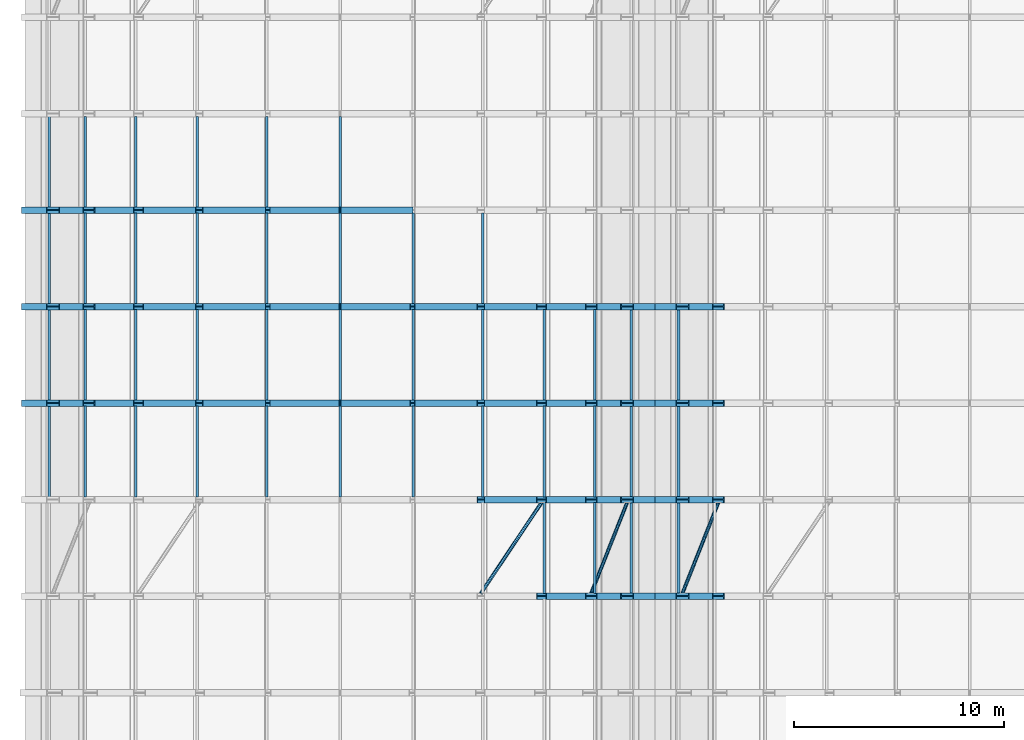
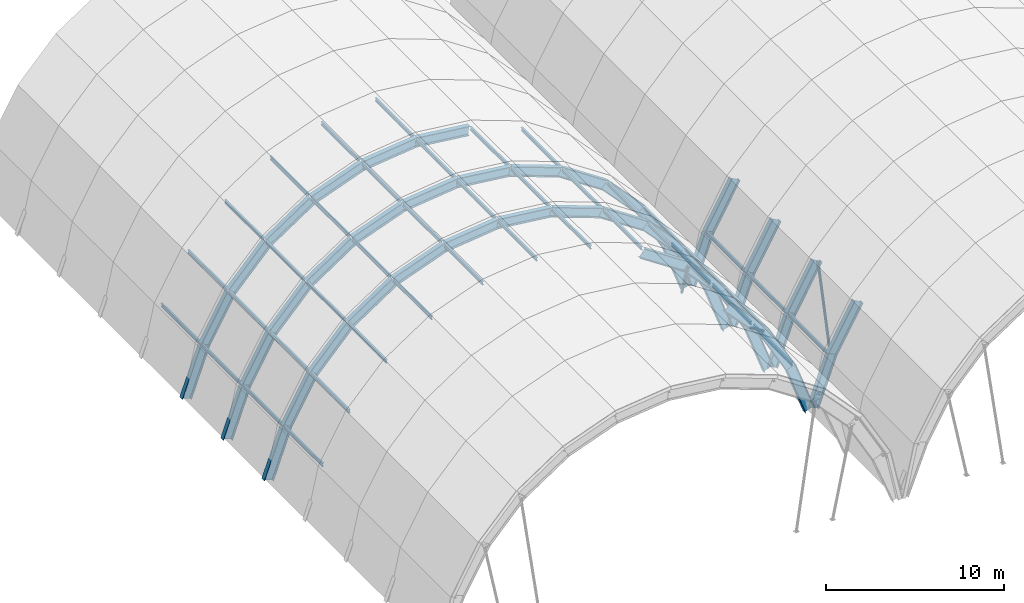
# One storey, part 8 of 47: 88 beams, 3 members.
"""IFC4 building model written with IfcOpenShell, lengths in metres."""

from ifc_helpers import new_model, si_unit, direction, frame, origin, origin_2d, place, context, subcontext, project, spatial, hollow_circle, i_section, extrude, material, material_profile, profile_set, type_object, element, save


model = new_model("IFC4")

# Units and contexts
model_context = context("Model", 3, precision=1e-05, world=origin(), true_north=direction((0.0, 1.0)))
body_context = subcontext(model_context, "Body", "Model", "MODEL_VIEW")
ifc_project = project(units=[si_unit("LENGTHUNIT", "METRE"), si_unit("AREAUNIT", "SQUARE_METRE"), si_unit("VOLUMEUNIT", "CUBIC_METRE"), si_unit("PLANEANGLEUNIT", "RADIAN"), si_unit("MASSUNIT", "GRAM", prefix="KILO")], contexts=[model_context])

# Site, building, storey
site_placement = place(None, origin())
site = spatial("IfcSite", under=ifc_project, at=site_placement, CompositionType="ELEMENT")
building_placement = place(site_placement, origin())
building = spatial("IfcBuilding", under=site, at=building_placement, Name="Muzn Square Opera House", CompositionType="ELEMENT")
storey_placement = place(building_placement, frame((0.0, 0.0, 31.0)))
storey = spatial("IfcBuildingStorey", under=building, at=storey_placement, Name="RF-1", CompositionType="ELEMENT", Elevation=31.0)

# Beams
ifc_material = material(Name="Steel S355", Category="steel")
ifc_material_profile_1 = material_profile(ifc_material, i_section(OverallWidth=0.1201171875, OverallDepth=0.239990234375, WebThickness=0.006103515625, FlangeThickness=0.009765625, FilletRadius=0.014892578125, at=origin_2d()), Name="IPE 240", Category="steel")
ifc_profile_set_1 = profile_set([ifc_material_profile_1], Name="Steel S355")
beam_type_1 = type_object("IfcBeamType", Name="Roof Purlin IPE240", PredefinedType="USERDEFINED", material=ifc_profile_set_1)
for number, where, z_axis, x_axis, name in (
    (1, (67.7373046875, 31.340087890625, -3.537109375), (0.0, 1.0, 0.0), (-1.0, 0.0, 0.0), "Barrel Vault Roof Purlin V1-02-P18"),
    (2, (70.13623046875, 31.340087890625, -6.1162109375), (0.0, 1.0, 0.0), (-1.0, 0.0, 0.0), "Barrel Vault Roof Purlin V1-02-P20"),
    (3, (71.869384765625, 31.340087890625, -9.1826171875), (0.0, 1.0, 0.0), (-1.0, 0.0, 0.0), "Barrel Vault Roof Purlin V1-02-P22"),
):
    element("IfcBeam", number, at=place(storey_placement, frame(where, z_axis=z_axis, x_axis=x_axis)), inside=storey, type_object=beam_type_1, Name=name, ObjectType="PURLIN", PredefinedType="USERDEFINED", context=body_context, shape_type="SweptSolid", body=[
        extrude(i_section(OverallWidth=0.1201171875, OverallDepth=0.239990234375, WebThickness=0.006103515625, FlangeThickness=0.009765625, FilletRadius=0.014892578125, at=origin_2d()), origin(), (0.0, 0.0, 1.0), 4.31982421875),
    ])
for number, where, z_axis, x_axis, name in (
    (4, (44.130615234375, 35.93994140625, -9.1826171875), (0.0, 1.0, 0.0), (-1.0, 0.0, 0.0), "Barrel Vault Roof Purlin V1-03-P02"),
    (5, (45.86376953125, 35.93994140625, -6.1162109375), (0.0, 1.0, 0.0), (-1.0, 0.0, 0.0), "Barrel Vault Roof Purlin V1-03-P04"),
    (6, (48.2626953125, 35.93994140625, -3.537109375), (0.0, 1.0, 0.0), (-1.0, 0.0, 0.0), "Barrel Vault Roof Purlin V1-03-P06"),
    (7, (51.19580078125, 35.93994140625, -1.5869140625), (0.0, 1.0, 0.0), (-1.0, 0.0, 0.0), "Barrel Vault Roof Purlin V1-03-P08"),
    (8, (54.501953125, 35.93994140625, -0.3720703125), (0.0, 1.0, 0.0), (-1.0, 0.0, 0.0), "Barrel Vault Roof Purlin V1-03-P10"),
    (9, (58.0, 35.93994140625, 0.0400390625), (0.0, 1.0, 0.0), (-1.0, 0.0, 0.0), "Barrel Vault Roof Purlin V1-03-P12"),
    (10, (61.498046875, 35.93994140625, -0.3720703125), (0.0, 1.0, 0.0), (-1.0, 0.0, 0.0), "Barrel Vault Roof Purlin V1-03-P14"),
    (11, (64.80419921875, 35.93994140625, -1.5869140625), (0.0, 1.0, 0.0), (-1.0, 0.0, 0.0), "Barrel Vault Roof Purlin V1-03-P16"),
    (12, (67.7373046875, 35.93994140625, -3.537109375), (0.0, 1.0, 0.0), (-1.0, 0.0, 0.0), "Barrel Vault Roof Purlin V1-03-P18"),
    (13, (70.13623046875, 35.93994140625, -6.1162109375), (0.0, 1.0, 0.0), (-1.0, 0.0, 0.0), "Barrel Vault Roof Purlin V1-03-P20"),
    (14, (71.869384765625, 35.93994140625, -9.1826171875), (0.0, 1.0, 0.0), (-1.0, 0.0, 0.0), "Barrel Vault Roof Purlin V1-03-P22"),
    (15, (44.130615234375, 40.5400390625, -9.1826171875), (0.0, 1.0, 0.0), (-1.0, 0.0, 0.0), "Barrel Vault Roof Purlin V1-04-P02"),
    (16, (45.86376953125, 40.5400390625, -6.1162109375), (0.0, 1.0, 0.0), (-1.0, 0.0, 0.0), "Barrel Vault Roof Purlin V1-04-P04"),
    (17, (48.2626953125, 40.5400390625, -3.537109375), (0.0, 1.0, 0.0), (-1.0, 0.0, 0.0), "Barrel Vault Roof Purlin V1-04-P06"),
    (18, (51.19580078125, 40.5400390625, -1.5869140625), (0.0, 1.0, 0.0), (-1.0, 0.0, 0.0), "Barrel Vault Roof Purlin V1-04-P08"),
    (19, (54.501953125, 40.5400390625, -0.3720703125), (0.0, 1.0, 0.0), (-1.0, 0.0, 0.0), "Barrel Vault Roof Purlin V1-04-P10"),
    (20, (58.0, 40.5400390625, 0.0400390625), (0.0, 1.0, 0.0), (-1.0, 0.0, 0.0), "Barrel Vault Roof Purlin V1-04-P12"),
    (21, (61.498046875, 40.5400390625, -0.3720703125), (0.0, 1.0, 0.0), (-1.0, 0.0, 0.0), "Barrel Vault Roof Purlin V1-04-P14"),
    (22, (64.80419921875, 40.5400390625, -1.5869140625), (0.0, 1.0, 0.0), (-1.0, 0.0, 0.0), "Barrel Vault Roof Purlin V1-04-P16"),
    (23, (67.7373046875, 40.5400390625, -3.537109375), (0.0, 1.0, 0.0), (-1.0, 0.0, 0.0), "Barrel Vault Roof Purlin V1-04-P18"),
    (24, (70.13623046875, 40.5400390625, -6.1162109375), (0.0, 1.0, 0.0), (-1.0, 0.0, 0.0), "Barrel Vault Roof Purlin V1-04-P20"),
    (25, (71.869384765625, 40.5400390625, -9.1826171875), (0.0, 1.0, 0.0), (-1.0, 0.0, 0.0), "Barrel Vault Roof Purlin V1-04-P22"),
    (26, (44.130615234375, 45.139892578125, -9.1826171875), (0.0, 1.0, 0.0), (-1.0, 0.0, 0.0), "Barrel Vault Roof Purlin V1-05-P02"),
    (27, (45.86376953125, 45.139892578125, -6.1162109375), (0.0, 1.0, 0.0), (-1.0, 0.0, 0.0), "Barrel Vault Roof Purlin V1-05-P04"),
    (28, (48.2626953125, 45.139892578125, -3.537109375), (0.0, 1.0, 0.0), (-1.0, 0.0, 0.0), "Barrel Vault Roof Purlin V1-05-P06"),
    (29, (51.19580078125, 45.139892578125, -1.5869140625), (0.0, 1.0, 0.0), (-1.0, 0.0, 0.0), "Barrel Vault Roof Purlin V1-05-P08"),
    (30, (54.501953125, 45.139892578125, -0.3720703125), (0.0, 1.0, 0.0), (-1.0, 0.0, 0.0), "Barrel Vault Roof Purlin V1-05-P10"),
    (31, (58.0, 45.139892578125, 0.0400390625), (0.0, 1.0, 0.0), (-1.0, 0.0, 0.0), "Barrel Vault Roof Purlin V1-05-P12"),
    (32, (61.498046875, 45.139892578125, -0.3720703125), (0.0, 1.0, 0.0), (-1.0, 0.0, 0.0), "Barrel Vault Roof Purlin V1-05-P14"),
    (33, (64.80419921875, 45.139892578125, -1.5869140625), (0.0, 1.0, 0.0), (-1.0, 0.0, 0.0), "Barrel Vault Roof Purlin V1-05-P16"),
    (34, (44.130615234375, 49.739990234375, -9.1826171875), (0.0, 1.0, 0.0), (-1.0, 0.0, 0.0), "Barrel Vault Roof Purlin V1-06-P02"),
    (35, (45.86376953125, 49.739990234375, -6.1162109375), (0.0, 1.0, 0.0), (-1.0, 0.0, 0.0), "Barrel Vault Roof Purlin V1-06-P04"),
    (36, (48.2626953125, 49.739990234375, -3.537109375), (0.0, 1.0, 0.0), (-1.0, 0.0, 0.0), "Barrel Vault Roof Purlin V1-06-P06"),
    (37, (51.19580078125, 49.739990234375, -1.5869140625), (0.0, 1.0, 0.0), (-1.0, 0.0, 0.0), "Barrel Vault Roof Purlin V1-06-P08"),
    (38, (54.501953125, 49.739990234375, -0.3720703125), (0.0, 1.0, 0.0), (-1.0, 0.0, 0.0), "Barrel Vault Roof Purlin V1-06-P10"),
    (39, (58.0, 49.739990234375, 0.0400390625), (0.0, 1.0, 0.0), (-1.0, 0.0, 0.0), "Barrel Vault Roof Purlin V1-06-P12"),
):
    element("IfcBeam", number, at=place(storey_placement, frame(where, z_axis=z_axis, x_axis=x_axis)), inside=storey, type_object=beam_type_1, Name=name, ObjectType="PURLIN", PredefinedType="USERDEFINED", context=body_context, shape_type="SweptSolid", body=[
        extrude(i_section(OverallWidth=0.1201171875, OverallDepth=0.239990234375, WebThickness=0.006103515625, FlangeThickness=0.009765625, FilletRadius=0.014892578125, at=origin_2d()), origin(), (0.0, 0.0, 1.0), 4.320068359375),
    ])
beam_1_placement = place(storey_placement, frame((74.130615234375, 31.340087890625, -9.1826171875), z_axis=(0.0, 1.0, 0.0), x_axis=(-1.0, 0.0, 0.0)))
element("IfcBeam", 40, at=beam_1_placement, inside=storey, type_object=beam_type_1, Name="Barrel Vault Roof Purlin V2-02-P02", ObjectType="PURLIN", PredefinedType="USERDEFINED", context=body_context, shape_type="SweptSolid", body=[
    extrude(i_section(OverallWidth=0.1201171875, OverallDepth=0.239990234375, WebThickness=0.006103515625, FlangeThickness=0.009765625, FilletRadius=0.014892578125, at=origin_2d()), origin(), (0.0, 0.0, 1.0), 4.31982421875),
])
for number, where, z_axis, x_axis, name in (
    (41, (74.130615234375, 35.93994140625, -9.1826171875), (0.0, 1.0, 0.0), (-1.0, 0.0, 0.0), "Barrel Vault Roof Purlin V2-03-P02"),
    (42, (74.130615234375, 40.5400390625, -9.1826171875), (0.0, 1.0, 0.0), (-1.0, 0.0, 0.0), "Barrel Vault Roof Purlin V2-04-P02"),
):
    element("IfcBeam", number, at=place(storey_placement, frame(where, z_axis=z_axis, x_axis=x_axis)), inside=storey, type_object=beam_type_1, Name=name, ObjectType="PURLIN", PredefinedType="USERDEFINED", context=body_context, shape_type="SweptSolid", body=[
        extrude(i_section(OverallWidth=0.1201171875, OverallDepth=0.239990234375, WebThickness=0.006103515625, FlangeThickness=0.009765625, FilletRadius=0.014892578125, at=origin_2d()), origin(), (0.0, 0.0, 1.0), 4.320068359375),
    ])
ifc_material_profile_2 = material_profile(ifc_material, i_section(OverallWidth=0.300048828125, OverallDepth=0.64990234375, WebThickness=0.01611328125, FlangeThickness=0.031005859375, FilletRadius=0.027099609375, at=origin_2d()), Name="HEB 650", Category="steel")
ifc_profile_set_2 = profile_set([ifc_material_profile_2], Name="Steel S355")
beam_type_2 = type_object("IfcBeamType", Name="Vault Arch Rib HEB650", PredefinedType="BEAM", material=ifc_profile_set_2)
beam_2_placement = place(storey_placement, frame((67.6044921875, 31.199951171875, -3.693359375), z_axis=(0.681065393401, 0.0, -0.732222595876), x_axis=(0.0, 1.0, 0.0)))
element("IfcBeam", 43, at=beam_2_placement, inside=storey, type_object=beam_type_2, Name="Barrel Vault Arch Rib V1-02-S09", PredefinedType="BEAM", context=body_context, shape_type="SweptSolid", body=[
    extrude(i_section(OverallWidth=0.300048828125, OverallDepth=0.64990234375, WebThickness=0.01611328125, FlangeThickness=0.031005859375, FilletRadius=0.027099609375, at=origin_2d()), origin(), (0.0, 0.0, 1.0), 3.474365234375),
])
beam_3_placement = place(storey_placement, frame((69.970703125, 31.199951171875, -6.2373046875), z_axis=(0.492115144444, 0.0, -0.870530117003), x_axis=(0.0, 1.0, 0.0)))
element("IfcBeam", 44, at=beam_3_placement, inside=storey, type_object=beam_type_2, Name="Barrel Vault Arch Rib V1-02-S10", PredefinedType="BEAM", context=body_context, shape_type="SweptSolid", body=[
    extrude(i_section(OverallWidth=0.300048828125, OverallDepth=0.64990234375, WebThickness=0.01611328125, FlangeThickness=0.031005859375, FilletRadius=0.027099609375, at=origin_2d()), origin(), (0.0, 0.0, 1.0), 3.47412109375),
])
beam_4_placement = place(storey_placement, frame((71.680419921875, 31.199951171875, -9.26171875), z_axis=(0.342678144973, 0.0, -0.93945286681), x_axis=(0.0, 1.0, 0.0)))
element("IfcBeam", 45, at=beam_4_placement, inside=storey, type_object=beam_type_2, Name="Barrel Vault Arch Rib V1-02-S11", PredefinedType="BEAM", context=body_context, shape_type="SweptSolid", body=[
    extrude(i_section(OverallWidth=0.300048828125, OverallDepth=0.64990234375, WebThickness=0.01611328125, FlangeThickness=0.031005859375, FilletRadius=0.027099609375, at=origin_2d()), origin(), (0.0, 0.0, 1.0), 3.500244140625),
])
for number, where, z_axis, x_axis, name in (
    (46, (64.71142578125, 35.800048828125, -1.76953125), (0.832698370736, 0.0, -0.553726849063), (0.0, 1.0, 0.0), "Barrel Vault Arch Rib V1-03-S08"),
    (47, (67.6044921875, 35.800048828125, -3.693359375), (0.681065393401, 0.0, -0.732222595876), (0.0, 1.0, 0.0), "Barrel Vault Arch Rib V1-03-S09"),
):
    element("IfcBeam", number, at=place(storey_placement, frame(where, z_axis=z_axis, x_axis=x_axis)), inside=storey, type_object=beam_type_2, Name=name, PredefinedType="BEAM", context=body_context, shape_type="SweptSolid", body=[
        extrude(i_section(OverallWidth=0.300048828125, OverallDepth=0.64990234375, WebThickness=0.01611328125, FlangeThickness=0.031005859375, FilletRadius=0.027099609375, at=origin_2d()), origin(), (0.0, 0.0, 1.0), 3.474365234375),
    ])
beam_5_placement = place(storey_placement, frame((69.970703125, 35.800048828125, -6.2373046875), z_axis=(0.492115144444, 0.0, -0.870530117003), x_axis=(0.0, 1.0, 0.0)))
element("IfcBeam", 48, at=beam_5_placement, inside=storey, type_object=beam_type_2, Name="Barrel Vault Arch Rib V1-03-S10", PredefinedType="BEAM", context=body_context, shape_type="SweptSolid", body=[
    extrude(i_section(OverallWidth=0.300048828125, OverallDepth=0.64990234375, WebThickness=0.01611328125, FlangeThickness=0.031005859375, FilletRadius=0.027099609375, at=origin_2d()), origin(), (0.0, 0.0, 1.0), 3.47412109375),
])
for number, where, z_axis, x_axis, name in (
    (49, (71.680419921875, 35.800048828125, -9.26171875), (0.342678144973, 0.0, -0.93945286681), (0.0, 1.0, 0.0), "Barrel Vault Arch Rib V1-03-S11"),
    (50, (43.1201171875, 40.39990234375, -12.550048828125), (0.342678144973, 0.0, 0.93945286681), (0.0, 1.0, 0.0), "Barrel Vault Arch Rib V1-04-S00"),
):
    element("IfcBeam", number, at=place(storey_placement, frame(where, z_axis=z_axis, x_axis=x_axis)), inside=storey, type_object=beam_type_2, Name=name, PredefinedType="BEAM", context=body_context, shape_type="SweptSolid", body=[
        extrude(i_section(OverallWidth=0.300048828125, OverallDepth=0.64990234375, WebThickness=0.01611328125, FlangeThickness=0.031005859375, FilletRadius=0.027099609375, at=origin_2d()), origin(), (0.0, 0.0, 1.0), 3.500244140625),
    ])
beam_6_placement = place(storey_placement, frame((44.319580078125, 40.39990234375, -9.26171875), z_axis=(0.492115144444, 0.0, 0.870530117003), x_axis=(0.0, 1.0, 0.0)))
element("IfcBeam", 51, at=beam_6_placement, inside=storey, type_object=beam_type_2, Name="Barrel Vault Arch Rib V1-04-S01", PredefinedType="BEAM", context=body_context, shape_type="SweptSolid", body=[
    extrude(i_section(OverallWidth=0.300048828125, OverallDepth=0.64990234375, WebThickness=0.01611328125, FlangeThickness=0.031005859375, FilletRadius=0.027099609375, at=origin_2d()), origin(), (0.0, 0.0, 1.0), 3.47412109375),
])
for number, where, z_axis, x_axis, name in (
    (52, (46.029296875, 40.39990234375, -6.2373046875), (0.681065393401, 0.0, 0.732222595876), (0.0, 1.0, 0.0), "Barrel Vault Arch Rib V1-04-S02"),
    (53, (48.3955078125, 40.39990234375, -3.693359375), (0.832698370736, 0.0, 0.553726849063), (0.0, 1.0, 0.0), "Barrel Vault Arch Rib V1-04-S03"),
):
    element("IfcBeam", number, at=place(storey_placement, frame(where, z_axis=z_axis, x_axis=x_axis)), inside=storey, type_object=beam_type_2, Name=name, PredefinedType="BEAM", context=body_context, shape_type="SweptSolid", body=[
        extrude(i_section(OverallWidth=0.300048828125, OverallDepth=0.64990234375, WebThickness=0.01611328125, FlangeThickness=0.031005859375, FilletRadius=0.027099609375, at=origin_2d()), origin(), (0.0, 0.0, 1.0), 3.474365234375),
    ])
beam_7_placement = place(storey_placement, frame((51.28857421875, 40.39990234375, -1.76953125), z_axis=(0.938661867851, 0.0, 0.344838944789), x_axis=(0.0, 1.0, 0.0)))
element("IfcBeam", 54, at=beam_7_placement, inside=storey, type_object=beam_type_2, Name="Barrel Vault Arch Rib V1-04-S04", PredefinedType="BEAM", context=body_context, shape_type="SweptSolid", body=[
    extrude(i_section(OverallWidth=0.300048828125, OverallDepth=0.64990234375, WebThickness=0.01611328125, FlangeThickness=0.031005859375, FilletRadius=0.027099609375, at=origin_2d()), origin(), (0.0, 0.0, 1.0), 3.47412109375),
])
for number, where, z_axis, x_axis, name in (
    (55, (54.549560546875, 40.39990234375, -0.571533203125), (0.993131884792, 0.0, 0.117000253887), (0.0, 1.0, 0.0), "Barrel Vault Arch Rib V1-04-S05"),
    (56, (58.0, 40.39990234375, -0.1650390625), (0.993131884792, 0.0, -0.117000253887), (0.0, 1.0, 0.0), "Barrel Vault Arch Rib V1-04-S06"),
):
    element("IfcBeam", number, at=place(storey_placement, frame(where, z_axis=z_axis, x_axis=x_axis)), inside=storey, type_object=beam_type_2, Name=name, PredefinedType="BEAM", context=body_context, shape_type="SweptSolid", body=[
        extrude(i_section(OverallWidth=0.300048828125, OverallDepth=0.64990234375, WebThickness=0.01611328125, FlangeThickness=0.031005859375, FilletRadius=0.027099609375, at=origin_2d()), origin(), (0.0, 0.0, 1.0), 3.474365234375),
    ])
beam_8_placement = place(storey_placement, frame((61.450439453125, 40.39990234375, -0.571533203125), z_axis=(0.938661867851, 0.0, -0.344838944789), x_axis=(0.0, 1.0, 0.0)))
element("IfcBeam", 57, at=beam_8_placement, inside=storey, type_object=beam_type_2, Name="Barrel Vault Arch Rib V1-04-S07", PredefinedType="BEAM", context=body_context, shape_type="SweptSolid", body=[
    extrude(i_section(OverallWidth=0.300048828125, OverallDepth=0.64990234375, WebThickness=0.01611328125, FlangeThickness=0.031005859375, FilletRadius=0.027099609375, at=origin_2d()), origin(), (0.0, 0.0, 1.0), 3.47412109375),
])
for number, where, z_axis, x_axis, name in (
    (58, (64.71142578125, 40.39990234375, -1.76953125), (0.832698370736, 0.0, -0.553726849063), (0.0, 1.0, 0.0), "Barrel Vault Arch Rib V1-04-S08"),
    (59, (67.6044921875, 40.39990234375, -3.693359375), (0.681065393401, 0.0, -0.732222595876), (0.0, 1.0, 0.0), "Barrel Vault Arch Rib V1-04-S09"),
):
    element("IfcBeam", number, at=place(storey_placement, frame(where, z_axis=z_axis, x_axis=x_axis)), inside=storey, type_object=beam_type_2, Name=name, PredefinedType="BEAM", context=body_context, shape_type="SweptSolid", body=[
        extrude(i_section(OverallWidth=0.300048828125, OverallDepth=0.64990234375, WebThickness=0.01611328125, FlangeThickness=0.031005859375, FilletRadius=0.027099609375, at=origin_2d()), origin(), (0.0, 0.0, 1.0), 3.474365234375),
    ])
beam_9_placement = place(storey_placement, frame((69.970703125, 40.39990234375, -6.2373046875), z_axis=(0.492115144444, 0.0, -0.870530117003), x_axis=(0.0, 1.0, 0.0)))
element("IfcBeam", 60, at=beam_9_placement, inside=storey, type_object=beam_type_2, Name="Barrel Vault Arch Rib V1-04-S10", PredefinedType="BEAM", context=body_context, shape_type="SweptSolid", body=[
    extrude(i_section(OverallWidth=0.300048828125, OverallDepth=0.64990234375, WebThickness=0.01611328125, FlangeThickness=0.031005859375, FilletRadius=0.027099609375, at=origin_2d()), origin(), (0.0, 0.0, 1.0), 3.47412109375),
])
for number, where, z_axis, x_axis, name in (
    (61, (71.680419921875, 40.39990234375, -9.26171875), (0.342678144973, 0.0, -0.93945286681), (0.0, 1.0, 0.0), "Barrel Vault Arch Rib V1-04-S11"),
    (62, (43.1201171875, 45.0, -12.550048828125), (0.342678144973, 0.0, 0.93945286681), (0.0, 1.0, 0.0), "Barrel Vault Arch Rib V1-05-S00"),
):
    element("IfcBeam", number, at=place(storey_placement, frame(where, z_axis=z_axis, x_axis=x_axis)), inside=storey, type_object=beam_type_2, Name=name, PredefinedType="BEAM", context=body_context, shape_type="SweptSolid", body=[
        extrude(i_section(OverallWidth=0.300048828125, OverallDepth=0.64990234375, WebThickness=0.01611328125, FlangeThickness=0.031005859375, FilletRadius=0.027099609375, at=origin_2d()), origin(), (0.0, 0.0, 1.0), 3.500244140625),
    ])
beam_10_placement = place(storey_placement, frame((44.319580078125, 45.0, -9.26171875), z_axis=(0.492115144444, 0.0, 0.870530117003), x_axis=(0.0, 1.0, 0.0)))
element("IfcBeam", 63, at=beam_10_placement, inside=storey, type_object=beam_type_2, Name="Barrel Vault Arch Rib V1-05-S01", PredefinedType="BEAM", context=body_context, shape_type="SweptSolid", body=[
    extrude(i_section(OverallWidth=0.300048828125, OverallDepth=0.64990234375, WebThickness=0.01611328125, FlangeThickness=0.031005859375, FilletRadius=0.027099609375, at=origin_2d()), origin(), (0.0, 0.0, 1.0), 3.47412109375),
])
for number, where, z_axis, x_axis, name in (
    (64, (46.029296875, 45.0, -6.2373046875), (0.681065393401, 0.0, 0.732222595876), (0.0, 1.0, 0.0), "Barrel Vault Arch Rib V1-05-S02"),
    (65, (48.3955078125, 45.0, -3.693359375), (0.832698370736, 0.0, 0.553726849063), (0.0, 1.0, 0.0), "Barrel Vault Arch Rib V1-05-S03"),
):
    element("IfcBeam", number, at=place(storey_placement, frame(where, z_axis=z_axis, x_axis=x_axis)), inside=storey, type_object=beam_type_2, Name=name, PredefinedType="BEAM", context=body_context, shape_type="SweptSolid", body=[
        extrude(i_section(OverallWidth=0.300048828125, OverallDepth=0.64990234375, WebThickness=0.01611328125, FlangeThickness=0.031005859375, FilletRadius=0.027099609375, at=origin_2d()), origin(), (0.0, 0.0, 1.0), 3.474365234375),
    ])
beam_11_placement = place(storey_placement, frame((51.28857421875, 45.0, -1.76953125), z_axis=(0.938661867851, 0.0, 0.344838944789), x_axis=(0.0, 1.0, 0.0)))
element("IfcBeam", 66, at=beam_11_placement, inside=storey, type_object=beam_type_2, Name="Barrel Vault Arch Rib V1-05-S04", PredefinedType="BEAM", context=body_context, shape_type="SweptSolid", body=[
    extrude(i_section(OverallWidth=0.300048828125, OverallDepth=0.64990234375, WebThickness=0.01611328125, FlangeThickness=0.031005859375, FilletRadius=0.027099609375, at=origin_2d()), origin(), (0.0, 0.0, 1.0), 3.47412109375),
])
for number, where, z_axis, x_axis, name in (
    (67, (54.549560546875, 45.0, -0.571533203125), (0.993131884792, 0.0, 0.117000253887), (0.0, 1.0, 0.0), "Barrel Vault Arch Rib V1-05-S05"),
    (68, (58.0, 45.0, -0.1650390625), (0.993131884792, 0.0, -0.117000253887), (0.0, 1.0, 0.0), "Barrel Vault Arch Rib V1-05-S06"),
):
    element("IfcBeam", number, at=place(storey_placement, frame(where, z_axis=z_axis, x_axis=x_axis)), inside=storey, type_object=beam_type_2, Name=name, PredefinedType="BEAM", context=body_context, shape_type="SweptSolid", body=[
        extrude(i_section(OverallWidth=0.300048828125, OverallDepth=0.64990234375, WebThickness=0.01611328125, FlangeThickness=0.031005859375, FilletRadius=0.027099609375, at=origin_2d()), origin(), (0.0, 0.0, 1.0), 3.474365234375),
    ])
beam_12_placement = place(storey_placement, frame((61.450439453125, 45.0, -0.571533203125), z_axis=(0.938661867851, 0.0, -0.344838944789), x_axis=(0.0, 1.0, 0.0)))
element("IfcBeam", 69, at=beam_12_placement, inside=storey, type_object=beam_type_2, Name="Barrel Vault Arch Rib V1-05-S07", PredefinedType="BEAM", context=body_context, shape_type="SweptSolid", body=[
    extrude(i_section(OverallWidth=0.300048828125, OverallDepth=0.64990234375, WebThickness=0.01611328125, FlangeThickness=0.031005859375, FilletRadius=0.027099609375, at=origin_2d()), origin(), (0.0, 0.0, 1.0), 3.47412109375),
])
for number, where, z_axis, x_axis, name in (
    (70, (64.71142578125, 45.0, -1.76953125), (0.832698370736, 0.0, -0.553726849063), (0.0, 1.0, 0.0), "Barrel Vault Arch Rib V1-05-S08"),
    (71, (67.6044921875, 45.0, -3.693359375), (0.681065393401, 0.0, -0.732222595876), (0.0, 1.0, 0.0), "Barrel Vault Arch Rib V1-05-S09"),
):
    element("IfcBeam", number, at=place(storey_placement, frame(where, z_axis=z_axis, x_axis=x_axis)), inside=storey, type_object=beam_type_2, Name=name, PredefinedType="BEAM", context=body_context, shape_type="SweptSolid", body=[
        extrude(i_section(OverallWidth=0.300048828125, OverallDepth=0.64990234375, WebThickness=0.01611328125, FlangeThickness=0.031005859375, FilletRadius=0.027099609375, at=origin_2d()), origin(), (0.0, 0.0, 1.0), 3.474365234375),
    ])
beam_13_placement = place(storey_placement, frame((69.970703125, 45.0, -6.2373046875), z_axis=(0.492115144444, 0.0, -0.870530117003), x_axis=(0.0, 1.0, 0.0)))
element("IfcBeam", 72, at=beam_13_placement, inside=storey, type_object=beam_type_2, Name="Barrel Vault Arch Rib V1-05-S10", PredefinedType="BEAM", context=body_context, shape_type="SweptSolid", body=[
    extrude(i_section(OverallWidth=0.300048828125, OverallDepth=0.64990234375, WebThickness=0.01611328125, FlangeThickness=0.031005859375, FilletRadius=0.027099609375, at=origin_2d()), origin(), (0.0, 0.0, 1.0), 3.47412109375),
])
for number, where, z_axis, x_axis, name in (
    (73, (71.680419921875, 45.0, -9.26171875), (0.342678144973, 0.0, -0.93945286681), (0.0, 1.0, 0.0), "Barrel Vault Arch Rib V1-05-S11"),
    (74, (43.1201171875, 49.60009765625, -12.550048828125), (0.342678144973, 0.0, 0.93945286681), (0.0, 1.0, 0.0), "Barrel Vault Arch Rib V1-06-S00"),
):
    element("IfcBeam", number, at=place(storey_placement, frame(where, z_axis=z_axis, x_axis=x_axis)), inside=storey, type_object=beam_type_2, Name=name, PredefinedType="BEAM", context=body_context, shape_type="SweptSolid", body=[
        extrude(i_section(OverallWidth=0.300048828125, OverallDepth=0.64990234375, WebThickness=0.01611328125, FlangeThickness=0.031005859375, FilletRadius=0.027099609375, at=origin_2d()), origin(), (0.0, 0.0, 1.0), 3.500244140625),
    ])
beam_14_placement = place(storey_placement, frame((44.319580078125, 49.60009765625, -9.26171875), z_axis=(0.492115144444, 0.0, 0.870530117003), x_axis=(0.0, 1.0, 0.0)))
element("IfcBeam", 75, at=beam_14_placement, inside=storey, type_object=beam_type_2, Name="Barrel Vault Arch Rib V1-06-S01", PredefinedType="BEAM", context=body_context, shape_type="SweptSolid", body=[
    extrude(i_section(OverallWidth=0.300048828125, OverallDepth=0.64990234375, WebThickness=0.01611328125, FlangeThickness=0.031005859375, FilletRadius=0.027099609375, at=origin_2d()), origin(), (0.0, 0.0, 1.0), 3.47412109375),
])
for number, where, z_axis, x_axis, name in (
    (76, (46.029296875, 49.60009765625, -6.2373046875), (0.681065393401, 0.0, 0.732222595876), (0.0, 1.0, 0.0), "Barrel Vault Arch Rib V1-06-S02"),
    (77, (48.3955078125, 49.60009765625, -3.693359375), (0.832698370736, 0.0, 0.553726849063), (0.0, 1.0, 0.0), "Barrel Vault Arch Rib V1-06-S03"),
):
    element("IfcBeam", number, at=place(storey_placement, frame(where, z_axis=z_axis, x_axis=x_axis)), inside=storey, type_object=beam_type_2, Name=name, PredefinedType="BEAM", context=body_context, shape_type="SweptSolid", body=[
        extrude(i_section(OverallWidth=0.300048828125, OverallDepth=0.64990234375, WebThickness=0.01611328125, FlangeThickness=0.031005859375, FilletRadius=0.027099609375, at=origin_2d()), origin(), (0.0, 0.0, 1.0), 3.474365234375),
    ])
beam_15_placement = place(storey_placement, frame((51.28857421875, 49.60009765625, -1.76953125), z_axis=(0.938661867851, 0.0, 0.344838944789), x_axis=(0.0, 1.0, 0.0)))
element("IfcBeam", 78, at=beam_15_placement, inside=storey, type_object=beam_type_2, Name="Barrel Vault Arch Rib V1-06-S04", PredefinedType="BEAM", context=body_context, shape_type="SweptSolid", body=[
    extrude(i_section(OverallWidth=0.300048828125, OverallDepth=0.64990234375, WebThickness=0.01611328125, FlangeThickness=0.031005859375, FilletRadius=0.027099609375, at=origin_2d()), origin(), (0.0, 0.0, 1.0), 3.47412109375),
])
for number, where, z_axis, x_axis, name in (
    (79, (54.549560546875, 49.60009765625, -0.571533203125), (0.993131884792, 0.0, 0.117000253887), (0.0, 1.0, 0.0), "Barrel Vault Arch Rib V1-06-S05"),
    (80, (58.0, 49.60009765625, -0.1650390625), (0.993131884792, 0.0, -0.117000253887), (0.0, 1.0, 0.0), "Barrel Vault Arch Rib V1-06-S06"),
):
    element("IfcBeam", number, at=place(storey_placement, frame(where, z_axis=z_axis, x_axis=x_axis)), inside=storey, type_object=beam_type_2, Name=name, PredefinedType="BEAM", context=body_context, shape_type="SweptSolid", body=[
        extrude(i_section(OverallWidth=0.300048828125, OverallDepth=0.64990234375, WebThickness=0.01611328125, FlangeThickness=0.031005859375, FilletRadius=0.027099609375, at=origin_2d()), origin(), (0.0, 0.0, 1.0), 3.474365234375),
    ])
beam_16_placement = place(storey_placement, frame((73.1201171875, 31.199951171875, -12.550048828125), z_axis=(0.342678144973, 0.0, 0.93945286681), x_axis=(0.0, 1.0, 0.0)))
element("IfcBeam", 81, at=beam_16_placement, inside=storey, type_object=beam_type_2, Name="Barrel Vault Arch Rib V2-02-S00", PredefinedType="BEAM", context=body_context, shape_type="SweptSolid", body=[
    extrude(i_section(OverallWidth=0.300048828125, OverallDepth=0.64990234375, WebThickness=0.01611328125, FlangeThickness=0.031005859375, FilletRadius=0.027099609375, at=origin_2d()), origin(), (0.0, 0.0, 1.0), 3.500244140625),
])
beam_17_placement = place(storey_placement, frame((74.319580078125, 31.199951171875, -9.26171875), z_axis=(0.492115144444, 0.0, 0.870530117003), x_axis=(0.0, 1.0, 0.0)))
element("IfcBeam", 82, at=beam_17_placement, inside=storey, type_object=beam_type_2, Name="Barrel Vault Arch Rib V2-02-S01", PredefinedType="BEAM", context=body_context, shape_type="SweptSolid", body=[
    extrude(i_section(OverallWidth=0.300048828125, OverallDepth=0.64990234375, WebThickness=0.01611328125, FlangeThickness=0.031005859375, FilletRadius=0.027099609375, at=origin_2d()), origin(), (0.0, 0.0, 1.0), 3.47412109375),
])
beam_18_placement = place(storey_placement, frame((73.1201171875, 35.800048828125, -12.550048828125), z_axis=(0.342678144973, 0.0, 0.93945286681), x_axis=(0.0, 1.0, 0.0)))
element("IfcBeam", 83, at=beam_18_placement, inside=storey, type_object=beam_type_2, Name="Barrel Vault Arch Rib V2-03-S00", PredefinedType="BEAM", context=body_context, shape_type="SweptSolid", body=[
    extrude(i_section(OverallWidth=0.300048828125, OverallDepth=0.64990234375, WebThickness=0.01611328125, FlangeThickness=0.031005859375, FilletRadius=0.027099609375, at=origin_2d()), origin(), (0.0, 0.0, 1.0), 3.500244140625),
])
beam_19_placement = place(storey_placement, frame((74.319580078125, 35.800048828125, -9.26171875), z_axis=(0.492115144444, 0.0, 0.870530117003), x_axis=(0.0, 1.0, 0.0)))
element("IfcBeam", 84, at=beam_19_placement, inside=storey, type_object=beam_type_2, Name="Barrel Vault Arch Rib V2-03-S01", PredefinedType="BEAM", context=body_context, shape_type="SweptSolid", body=[
    extrude(i_section(OverallWidth=0.300048828125, OverallDepth=0.64990234375, WebThickness=0.01611328125, FlangeThickness=0.031005859375, FilletRadius=0.027099609375, at=origin_2d()), origin(), (0.0, 0.0, 1.0), 3.47412109375),
])
beam_20_placement = place(storey_placement, frame((73.1201171875, 40.39990234375, -12.550048828125), z_axis=(0.342678144973, 0.0, 0.93945286681), x_axis=(0.0, 1.0, 0.0)))
element("IfcBeam", 85, at=beam_20_placement, inside=storey, type_object=beam_type_2, Name="Barrel Vault Arch Rib V2-04-S00", PredefinedType="BEAM", context=body_context, shape_type="SweptSolid", body=[
    extrude(i_section(OverallWidth=0.300048828125, OverallDepth=0.64990234375, WebThickness=0.01611328125, FlangeThickness=0.031005859375, FilletRadius=0.027099609375, at=origin_2d()), origin(), (0.0, 0.0, 1.0), 3.500244140625),
])
beam_21_placement = place(storey_placement, frame((74.319580078125, 40.39990234375, -9.26171875), z_axis=(0.492115144444, 0.0, 0.870530117003), x_axis=(0.0, 1.0, 0.0)))
element("IfcBeam", 86, at=beam_21_placement, inside=storey, type_object=beam_type_2, Name="Barrel Vault Arch Rib V2-04-S01", PredefinedType="BEAM", context=body_context, shape_type="SweptSolid", body=[
    extrude(i_section(OverallWidth=0.300048828125, OverallDepth=0.64990234375, WebThickness=0.01611328125, FlangeThickness=0.031005859375, FilletRadius=0.027099609375, at=origin_2d()), origin(), (0.0, 0.0, 1.0), 3.47412109375),
])
beam_22_placement = place(storey_placement, frame((73.1201171875, 45.0, -12.550048828125), z_axis=(0.342678144973, 0.0, 0.93945286681), x_axis=(0.0, 1.0, 0.0)))
element("IfcBeam", 87, at=beam_22_placement, inside=storey, type_object=beam_type_2, Name="Barrel Vault Arch Rib V2-05-S00", PredefinedType="BEAM", context=body_context, shape_type="SweptSolid", body=[
    extrude(i_section(OverallWidth=0.300048828125, OverallDepth=0.64990234375, WebThickness=0.01611328125, FlangeThickness=0.031005859375, FilletRadius=0.027099609375, at=origin_2d()), origin(), (0.0, 0.0, 1.0), 3.500244140625),
])
beam_23_placement = place(storey_placement, frame((74.319580078125, 45.0, -9.26171875), z_axis=(0.492115144444, 0.0, 0.870530117003), x_axis=(0.0, 1.0, 0.0)))
element("IfcBeam", 88, at=beam_23_placement, inside=storey, type_object=beam_type_2, Name="Barrel Vault Arch Rib V2-05-S01", PredefinedType="BEAM", context=body_context, shape_type="SweptSolid", body=[
    extrude(i_section(OverallWidth=0.300048828125, OverallDepth=0.64990234375, WebThickness=0.01611328125, FlangeThickness=0.031005859375, FilletRadius=0.027099609375, at=origin_2d()), origin(), (0.0, 0.0, 1.0), 3.47412109375),
])

# Members
ifc_material_profile_3 = material_profile(ifc_material, hollow_circle(Radius=0.084228515625, WallThickness=0.010009765625, at=origin_2d()), Name="CHS 168.3x10", Category="steel")
ifc_profile_set_3 = profile_set([ifc_material_profile_3], Name="Steel S355")
member_type = type_object("IfcMemberType", Name="Vault Wind Brace CHS168", PredefinedType="BRACE", material=ifc_profile_set_3)
member_placement = place(storey_placement, frame((64.71142578125, 31.340087890625, -1.76953125), z_axis=(0.521872241446, 0.77924113419, -0.347034030599), x_axis=(-0.830878099966, 0.556454475223, 0.0)))
element("IfcMember", 89, at=member_placement, inside=storey, type_object=member_type, Name="Barrel Vault Wind Brace V1-02-14", PredefinedType="BRACE", context=body_context, shape_type="SweptSolid", body=[
    extrude(hollow_circle(Radius=0.084228515625, WallThickness=0.010009765625, at=origin_2d()), origin(), (0.0, 0.0, 1.0), 5.543701171875),
])
for number, where, z_axis, x_axis, name in (
    (90, (69.970703125, 31.340087890625, -6.2373046875), (0.30841477359, 0.779250464645, -0.545572214085), (-0.929822347688, 0.368008697912, 0.0), "Barrel Vault Wind Brace V1-02-18"),
    (91, (74.319580078125, 31.340087890625, -9.26171875), (0.30841477359, 0.779250464645, 0.545572214085), (-0.929822347688, 0.368008697912, 0.0), "Barrel Vault Wind Brace V2-02-04"),
):
    element("IfcMember", number, at=place(storey_placement, frame(where, z_axis=z_axis, x_axis=x_axis)), inside=storey, type_object=member_type, Name=name, PredefinedType="BRACE", context=body_context, shape_type="SweptSolid", body=[
        extrude(hollow_circle(Radius=0.084228515625, WallThickness=0.010009765625, at=origin_2d()), origin(), (0.0, 0.0, 1.0), 5.54345703125),
    ])

save(model, "model.ifc")
